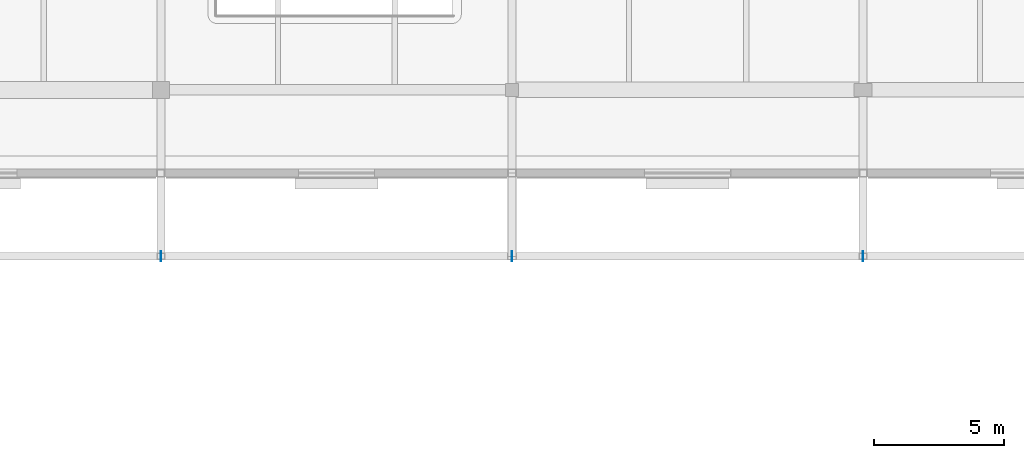
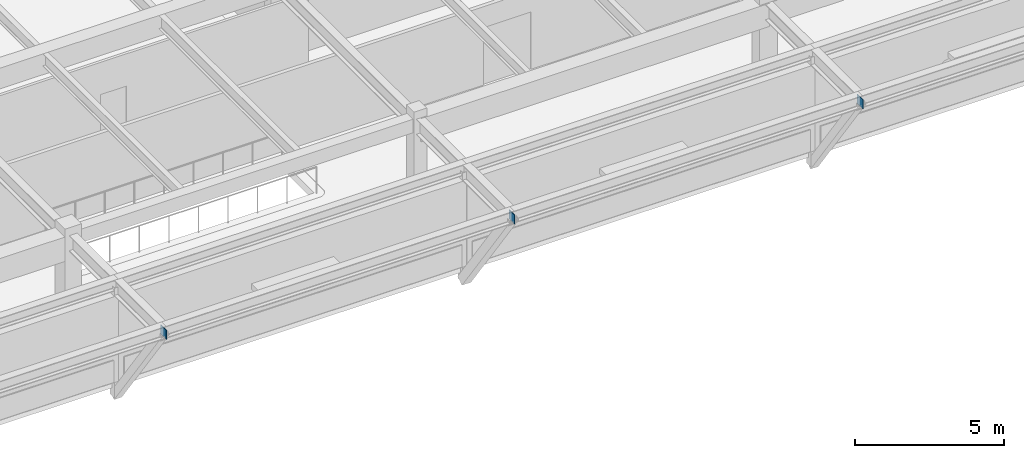
# One storey, part 84 of 109: 3 plates.
"""IFC4 building model written with IfcOpenShell, lengths in metres."""

from ifc_helpers import new_model, si_unit, direction, frame, origin, origin_2d, place, context, subcontext, project, spatial, rectangle, extrude, material, layer, layer_set, type_object, element, save


model = new_model("IFC4")

# Units and contexts
model_context = context("Model", 3, precision=1e-05, world=origin(), true_north=direction((0.0, 1.0)))
body_context = subcontext(model_context, "Body", "Model", "MODEL_VIEW")
ifc_project = project(units=[si_unit("LENGTHUNIT", "METRE"), si_unit("AREAUNIT", "SQUARE_METRE"), si_unit("VOLUMEUNIT", "CUBIC_METRE"), si_unit("PLANEANGLEUNIT", "RADIAN"), si_unit("MASSUNIT", "GRAM", prefix="KILO")], contexts=[model_context])

# Site, building, storey
site_placement = place(None, origin())
site = spatial("IfcSite", under=ifc_project, at=site_placement, CompositionType="ELEMENT")
building_placement = place(site_placement, origin())
building = spatial("IfcBuilding", under=site, at=building_placement, Name="Fikremerkos Civic Library", CompositionType="ELEMENT")
storey_placement = place(building_placement, frame((0.0, 0.0, 5.39990234375)))
storey = spatial("IfcBuildingStorey", under=building, at=storey_placement, Name="L01", CompositionType="ELEMENT", Elevation=5.39990234375)

# Plates
ifc_material = material(Name="Steel S355", Category="steel")
ifc_layer = layer(ifc_material, 0.02490234375, Name="Steel S355")
ifc_layer_set = layer_set([ifc_layer], Name="Steel S355")
plate_type = type_object("IfcPlateType", Name="Steel gusset cap plate GSP-02 380x380x25", PredefinedType="USERDEFINED", material=ifc_layer_set)
for number, where, z_axis, x_axis, name in (
    (1, (32.699951171875, 5.60009765625, 3.6650390625), (0.0, 0.0, 1.0), (1.0, 0.0, 0.0), "Steel gusset cap plate GSP-02 #3"),
    (2, (46.199951171875, 5.60009765625, 3.6650390625), (0.0, 0.0, 1.0), (1.0, 0.0, 0.0), "Steel gusset cap plate GSP-02 #9"),
    (3, (59.699951171875, 5.60009765625, 3.6650390625), (0.0, 0.0, 1.0), (1.0, 0.0, 0.0), "Steel gusset cap plate GSP-02 #15"),
):
    element("IfcPlate", number, at=place(storey_placement, frame(where, z_axis=z_axis, x_axis=x_axis)), inside=storey, type_object=plate_type, Name=name, ObjectType="GUSSET PLATE", PredefinedType="USERDEFINED", context=body_context, shape_type="SweptSolid", body=[
        extrude(rectangle(XDim=0.02490234375, YDim=0.3798828125, at=origin_2d()), origin(), (0.0, 0.0, 1.0), 0.3798828125),
    ])

save(model, "model.ifc")
